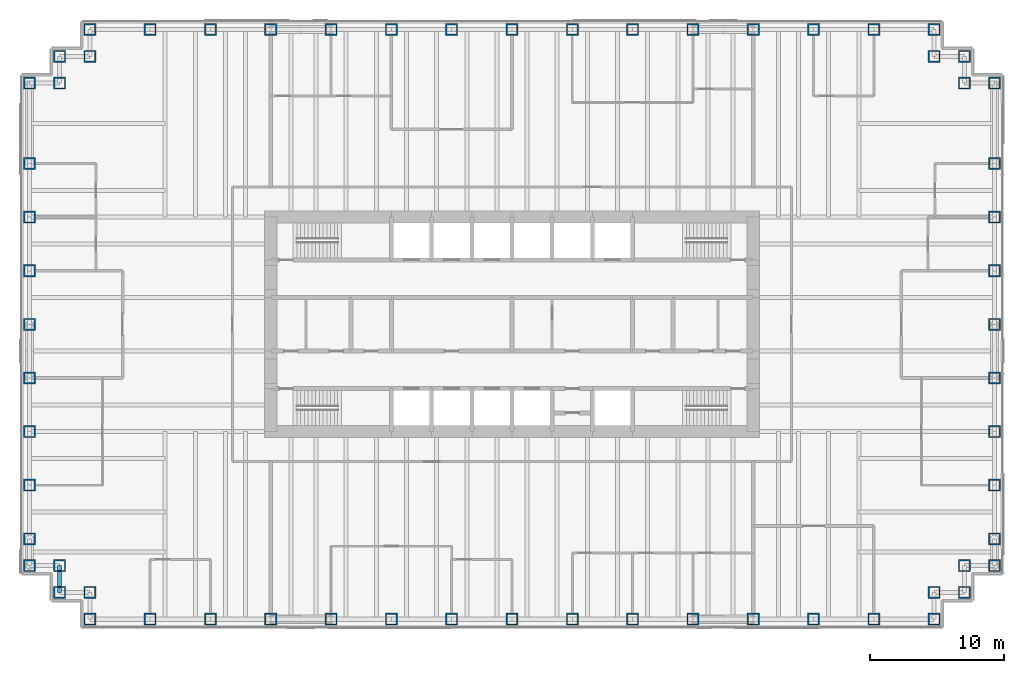
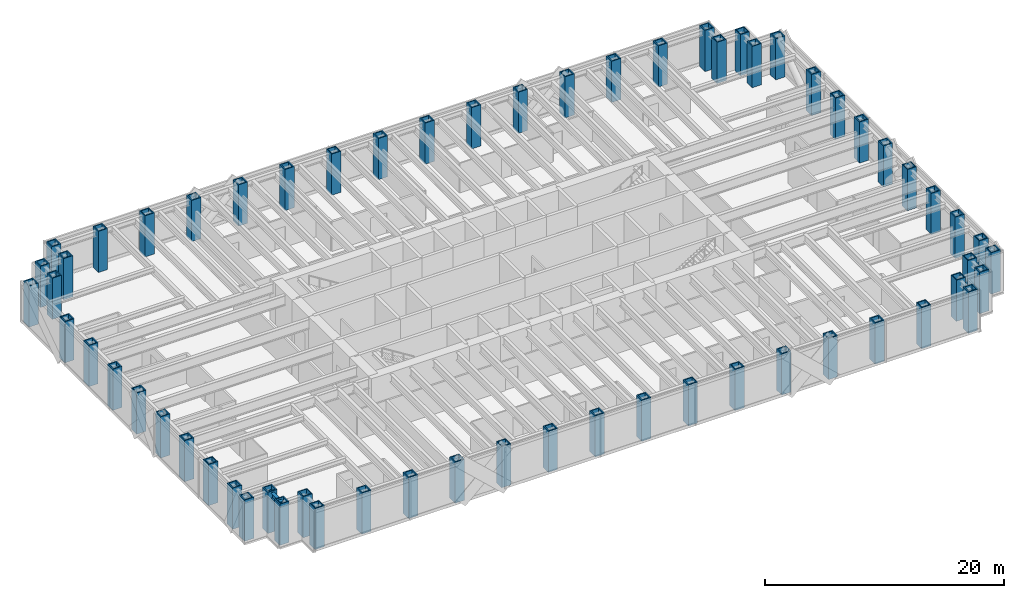
# One storey, part 1 of 17: 62 columns, 1 beam.
"""IFC4 building model written with IfcOpenShell, lengths in metres."""

from ifc_helpers import new_model, si_unit, direction, frame, origin, origin_2d, place, context, subcontext, project, spatial, hollow_rectangle, i_section, extrude, material, material_profile, profile_set, type_object, element, save


model = new_model("IFC4")

# Units and contexts
model_context = context("Model", 3, precision=1e-05, world=origin(), true_north=direction((0.0, 1.0)))
body_context = subcontext(model_context, "Body", "Model", "MODEL_VIEW")
ifc_project = project(units=[si_unit("LENGTHUNIT", "METRE"), si_unit("AREAUNIT", "SQUARE_METRE"), si_unit("VOLUMEUNIT", "CUBIC_METRE"), si_unit("PLANEANGLEUNIT", "RADIAN"), si_unit("MASSUNIT", "GRAM", prefix="KILO")], contexts=[model_context])

# Site, building, storey
site_placement = place(None, origin())
site = spatial("IfcSite", under=ifc_project, at=site_placement, CompositionType="ELEMENT")
building_placement = place(site_placement, origin())
building = spatial("IfcBuilding", under=site, at=building_placement, Name="Rheinbord Bourse Tower", CompositionType="ELEMENT")
storey_placement = place(building_placement, frame((0.0, 0.0, 138.300048828125)))
storey = spatial("IfcBuildingStorey", under=building, at=storey_placement, Name="L30", CompositionType="ELEMENT", Elevation=138.300048828125)

# Columns
ifc_material_1 = material(Name="Steel S460M", Category="steel")
ifc_material_profile_1 = material_profile(ifc_material_1, hollow_rectangle(XDim=0.89990234375, YDim=0.89990234375, WallThickness=0.10009765625, at=origin_2d()), Name="BOX 900x900x100")
ifc_profile_set_1 = profile_set([ifc_material_profile_1], Name="Steel S460M")
column_type = type_object("IfcColumnType", Name="TUBE COLUMN BOX 900x900x100", PredefinedType="COLUMN", material=ifc_profile_set_1)
for number, where, z_axis, x_axis, name in (
    (1, (4.5, 2.0, 0.0), (0.0, 0.0, 1.0), (0.0, 1.0, 0.0), "Column SW-E L30"),
    (2, (9.0, 2.0, 0.0), (0.0, 0.0, 1.0), (0.0, 1.0, 0.0), "Column S-9 L30"),
    (3, (13.5, 2.0, 0.0), (0.0, 0.0, 1.0), (0.0, 1.0, 0.0), "Column S-13.5 L30"),
    (4, (18.0, 2.0, 0.0), (0.0, 0.0, 1.0), (0.0, 1.0, 0.0), "Column S-18 L30"),
    (5, (22.5, 2.0, 0.0), (0.0, 0.0, 1.0), (0.0, 1.0, 0.0), "Column S-22.5 L30"),
    (6, (27.0, 2.0, 0.0), (0.0, 0.0, 1.0), (0.0, 1.0, 0.0), "Column S-27 L30"),
    (7, (31.5, 2.0, 0.0), (0.0, 0.0, 1.0), (0.0, 1.0, 0.0), "Column S-31.5 L30"),
    (8, (36.0, 2.0, 0.0), (0.0, 0.0, 1.0), (0.0, 1.0, 0.0), "Column S-36 L30"),
    (9, (40.5, 2.0, 0.0), (0.0, 0.0, 1.0), (0.0, 1.0, 0.0), "Column S-40.5 L30"),
    (10, (45.0, 2.0, 0.0), (0.0, 0.0, 1.0), (0.0, 1.0, 0.0), "Column S-45 L30"),
    (11, (49.5, 2.0, 0.0), (0.0, 0.0, 1.0), (0.0, 1.0, 0.0), "Column S-49.5 L30"),
    (12, (54.0, 2.0, 0.0), (0.0, 0.0, 1.0), (0.0, 1.0, 0.0), "Column S-54 L30"),
    (13, (58.5, 2.0, 0.0), (0.0, 0.0, 1.0), (0.0, 1.0, 0.0), "Column S-58.5 L30"),
    (14, (63.0, 2.0, 0.0), (0.0, 0.0, 1.0), (0.0, 1.0, 0.0), "Column S-63 L30"),
    (15, (67.5, 2.0, 0.0), (0.0, 0.0, 1.0), (0.0, 1.0, 0.0), "Column SE-E L30"),
    (16, (67.5, 4.0, 0.0), (0.0, 0.0, 1.0), (0.0, 1.0, 0.0), "Column SE-D L30"),
    (17, (69.75, 4.0, 0.0), (0.0, 0.0, 1.0), (1.0, 0.0, 0.0), "Column SE-C L30"),
    (18, (69.75, 6.0, 0.0), (0.0, 0.0, 1.0), (1.0, 0.0, 0.0), "Column SE-B L30"),
    (19, (72.0, 6.0, 0.0), (0.0, 0.0, 1.0), (1.0, 0.0, 0.0), "Column SE-A L30"),
    (20, (72.0, 8.0, 0.0), (0.0, 0.0, 1.0), (1.0, 0.0, 0.0), "Column E-8 L30"),
    (21, (72.0, 12.0, 0.0), (0.0, 0.0, 1.0), (1.0, 0.0, 0.0), "Column E-12 L30"),
    (22, (72.0, 16.0, 0.0), (0.0, 0.0, 1.0), (1.0, 0.0, 0.0), "Column E-16 L30"),
    (23, (72.0, 20.0, 0.0), (0.0, 0.0, 1.0), (1.0, 0.0, 0.0), "Column E-20 L30"),
    (24, (72.0, 24.0, 0.0), (0.0, 0.0, 1.0), (1.0, 0.0, 0.0), "Column E-24 L30"),
    (25, (72.0, 28.0, 0.0), (0.0, 0.0, 1.0), (1.0, 0.0, 0.0), "Column E-28 L30"),
    (26, (72.0, 32.0, 0.0), (0.0, 0.0, 1.0), (1.0, 0.0, 0.0), "Column E-32 L30"),
    (27, (72.0, 36.0, 0.0), (0.0, 0.0, 1.0), (1.0, 0.0, 0.0), "Column E-36 L30"),
    (28, (72.0, 42.0, 0.0), (0.0, 0.0, 1.0), (1.0, 0.0, 0.0), "Column NE-A L30"),
    (29, (69.75, 42.0, 0.0), (0.0, 0.0, 1.0), (1.0, 0.0, 0.0), "Column NE-B L30"),
    (30, (69.75, 44.0, 0.0), (0.0, 0.0, 1.0), (1.0, 0.0, 0.0), "Column NE-C L30"),
    (31, (67.5, 44.0, 0.0), (0.0, 0.0, 1.0), (0.0, 1.0, 0.0), "Column NE-D L30"),
    (32, (67.5, 46.0, 0.0), (0.0, 0.0, 1.0), (0.0, 1.0, 0.0), "Column NE-E L30"),
    (33, (63.0, 46.0, 0.0), (0.0, 0.0, 1.0), (0.0, 1.0, 0.0), "Column N-63 L30"),
    (34, (58.5, 46.0, 0.0), (0.0, 0.0, 1.0), (0.0, 1.0, 0.0), "Column N-58.5 L30"),
    (35, (54.0, 46.0, 0.0), (0.0, 0.0, 1.0), (0.0, 1.0, 0.0), "Column N-54 L30"),
    (36, (49.5, 46.0, 0.0), (0.0, 0.0, 1.0), (0.0, 1.0, 0.0), "Column N-49.5 L30"),
    (37, (45.0, 46.0, 0.0), (0.0, 0.0, 1.0), (0.0, 1.0, 0.0), "Column N-45 L30"),
    (38, (40.5, 46.0, 0.0), (0.0, 0.0, 1.0), (0.0, 1.0, 0.0), "Column N-40.5 L30"),
    (39, (36.0, 46.0, 0.0), (0.0, 0.0, 1.0), (0.0, 1.0, 0.0), "Column N-36 L30"),
    (40, (31.5, 46.0, 0.0), (0.0, 0.0, 1.0), (0.0, 1.0, 0.0), "Column N-31.5 L30"),
    (41, (27.0, 46.0, 0.0), (0.0, 0.0, 1.0), (0.0, 1.0, 0.0), "Column N-27 L30"),
    (42, (22.5, 46.0, 0.0), (0.0, 0.0, 1.0), (0.0, 1.0, 0.0), "Column N-22.5 L30"),
    (43, (18.0, 46.0, 0.0), (0.0, 0.0, 1.0), (0.0, 1.0, 0.0), "Column N-18 L30"),
    (44, (13.5, 46.0, 0.0), (0.0, 0.0, 1.0), (0.0, 1.0, 0.0), "Column N-13.5 L30"),
    (45, (9.0, 46.0, 0.0), (0.0, 0.0, 1.0), (0.0, 1.0, 0.0), "Column N-9 L30"),
    (46, (4.5, 46.0, 0.0), (0.0, 0.0, 1.0), (0.0, 1.0, 0.0), "Column NW-E L30"),
    (47, (4.5, 44.0, 0.0), (0.0, 0.0, 1.0), (0.0, 1.0, 0.0), "Column NW-D L30"),
    (48, (2.25, 44.0, 0.0), (0.0, 0.0, 1.0), (1.0, 0.0, 0.0), "Column NW-C L30"),
    (49, (2.25, 42.0, 0.0), (0.0, 0.0, 1.0), (1.0, 0.0, 0.0), "Column NW-B L30"),
    (50, (0.0, 42.0, 0.0), (0.0, 0.0, 1.0), (1.0, 0.0, 0.0), "Column NW-A L30"),
    (51, (0.0, 36.0, 0.0), (0.0, 0.0, 1.0), (1.0, 0.0, 0.0), "Column W-36 L30"),
    (52, (0.0, 32.0, 0.0), (0.0, 0.0, 1.0), (1.0, 0.0, 0.0), "Column W-32 L30"),
    (53, (0.0, 28.0, 0.0), (0.0, 0.0, 1.0), (1.0, 0.0, 0.0), "Column W-28 L30"),
    (54, (0.0, 24.0, 0.0), (0.0, 0.0, 1.0), (1.0, 0.0, 0.0), "Column W-24 L30"),
    (55, (0.0, 20.0, 0.0), (0.0, 0.0, 1.0), (1.0, 0.0, 0.0), "Column W-20 L30"),
    (56, (0.0, 16.0, 0.0), (0.0, 0.0, 1.0), (1.0, 0.0, 0.0), "Column W-16 L30"),
    (57, (0.0, 12.0, 0.0), (0.0, 0.0, 1.0), (1.0, 0.0, 0.0), "Column W-12 L30"),
    (58, (0.0, 8.0, 0.0), (0.0, 0.0, 1.0), (1.0, 0.0, 0.0), "Column W-8 L30"),
    (59, (0.0, 6.0, 0.0), (0.0, 0.0, 1.0), (1.0, 0.0, 0.0), "Column SW-A L30"),
    (60, (2.25, 6.0, 0.0), (0.0, 0.0, 1.0), (1.0, 0.0, 0.0), "Column SW-B L30"),
    (61, (2.25, 4.0, 0.0), (0.0, 0.0, 1.0), (1.0, 0.0, 0.0), "Column SW-C L30"),
    (62, (4.5, 4.0, 0.0), (0.0, 0.0, 1.0), (0.0, 1.0, 0.0), "Column SW-D L30"),
):
    element("IfcColumn", number, at=place(storey_placement, frame(where, z_axis=z_axis, x_axis=x_axis)), inside=storey, type_object=column_type, Name=name, PredefinedType="COLUMN", context=body_context, shape_type="SweptSolid", body=[
        extrude(hollow_rectangle(XDim=0.89990234375, YDim=0.89990234375, WallThickness=0.10009765625, at=origin_2d()), origin(), (0.0, 0.0, 1.0), 4.199951171875),
    ])

# Beam
ifc_material_2 = material(Name="Steel S460", Category="steel")
ifc_material_profile_2 = material_profile(ifc_material_2, i_section(OverallWidth=0.305908203125, OverallDepth=0.572021484375, WebThickness=0.02099609375, FlangeThickness=0.0400390625, at=origin_2d()), Name="HEM 550")
ifc_profile_set_2 = profile_set([ifc_material_profile_2], Name="Steel S460")
beam_type = type_object("IfcBeamType", Name="SPANDREL HEM 550", PredefinedType="SPANDREL", material=ifc_profile_set_2)
beam_placement = place(storey_placement, frame((2.25, 6.0, 3.75390625), z_axis=(0.0, -1.0, 0.0), x_axis=(1.0, 0.0, 0.0)))
element("IfcBeam", 63, at=beam_placement, inside=storey, type_object=beam_type, Name="Spandrel SW-B-SW-C under L31", PredefinedType="SPANDREL", context=body_context, shape_type="SweptSolid", body=[
    extrude(i_section(OverallWidth=0.305908203125, OverallDepth=0.572021484375, WebThickness=0.02099609375, FlangeThickness=0.0400390625, at=origin_2d()), origin(), (0.0, 0.0, 1.0), 2.0),
])

save(model, "model.ifc")
